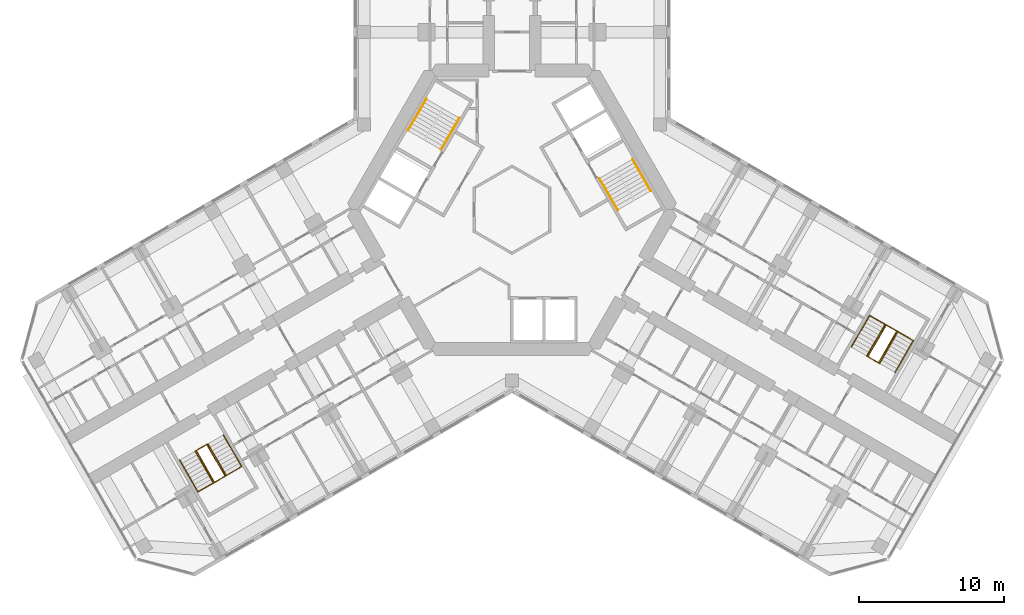
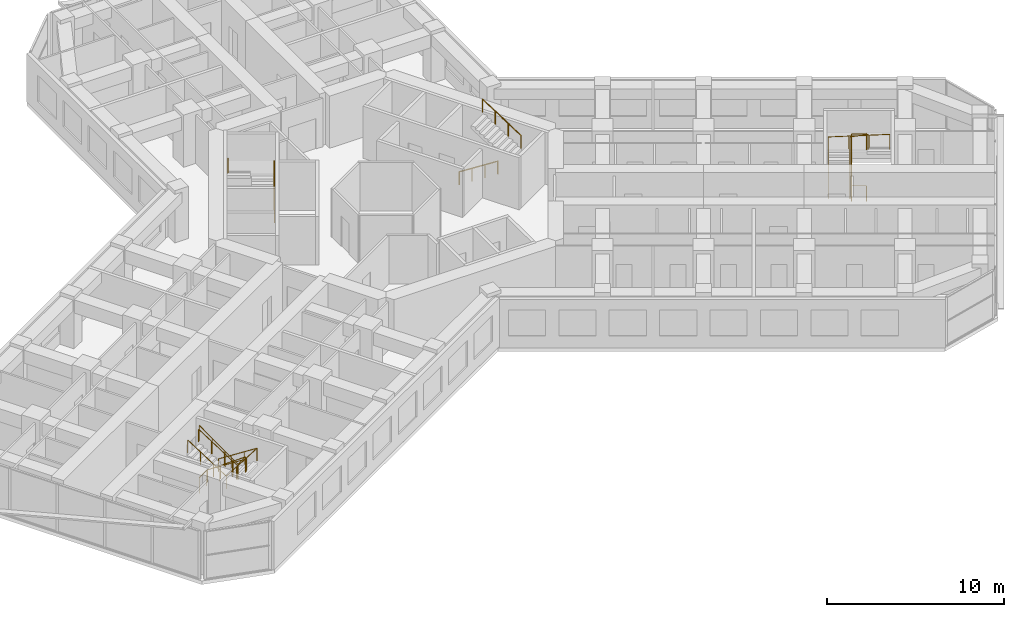
# One storey, part 19 of 19: 10 railings.
"""IFC4 building model written with IfcOpenShell, lengths in metres."""

from ifc_helpers import new_model, si_unit, direction, frame, origin, origin_2d, place, context, subcontext, project, spatial, circle, extrude, material, type_object, element, save


model = new_model("IFC4")

# Units and contexts
model_context = context("Model", 3, precision=1e-05, world=origin(), true_north=direction((0.0, 1.0)))
body_context = subcontext(model_context, "Body", "Model", "MODEL_VIEW")
ifc_project = project(units=[si_unit("LENGTHUNIT", "METRE"), si_unit("AREAUNIT", "SQUARE_METRE"), si_unit("VOLUMEUNIT", "CUBIC_METRE"), si_unit("PLANEANGLEUNIT", "RADIAN"), si_unit("MASSUNIT", "GRAM", prefix="KILO")], contexts=[model_context])

# Site, building, storey
site_placement = place(None, origin())
site = spatial("IfcSite", under=ifc_project, at=site_placement, CompositionType="ELEMENT")
building_placement = place(site_placement, origin())
building = spatial("IfcBuilding", under=site, at=building_placement, Name="Kosmar Iwan School Tower", CompositionType="ELEMENT")
storey_placement = place(building_placement, frame((0.0, 0.0, 168.800048828125)))
storey = spatial("IfcBuildingStorey", under=building, at=storey_placement, Name="L42", CompositionType="ELEMENT", Elevation=168.800048828125)

# Railings
ifc_material_1 = material(Name="Black steel", Category="steel")
railing_type_1 = type_object("IfcRailingType", Name="Stair handrail 900", PredefinedType="HANDRAIL", material=ifc_material_1)
railing_1_placement = place(storey_placement, frame((-4.89453125, 4.142333984375, 0.179931640625)))
element("IfcRailing", 1, at=railing_1_placement, inside=storey, type_object=railing_type_1, Name="Handrail ST2 flight 1", PredefinedType="HANDRAIL", context=body_context, shape_type="SweptSolid", body=[
    extrude(circle(Radius=0.02392578125, at=origin_2d()), frame((0.0, 0.0, 0.8759765625), z_axis=(0.420584145978, 0.728463801763, 0.540785970299), x_axis=(-0.866022637375, 0.500004791531, 0.0)), (0.0, 0.0, 1.0), 2.995849609375),
    extrude(circle(Radius=0.02099609375, at=origin_2d()), origin(), (0.0, 0.0, 1.0), 0.851806640625),
    extrude(circle(Radius=0.02099609375, at=origin_2d()), frame((0.419921875, 0.7275390625, 0.5400390625)), (0.0, 0.0, 1.0), 0.851806640625),
    extrude(circle(Radius=0.02099609375, at=origin_2d()), frame((0.840087890625, 1.454833984375, 1.080078125)), (0.0, 0.0, 1.0), 0.851806640625),
    extrude(circle(Radius=0.02099609375, at=origin_2d()), frame((1.260009765625, 2.182373046875, 1.6201171875)), (0.0, 0.0, 1.0), 0.851806640625),
])
railing_2_placement = place(storey_placement, frame((-5.912353515625, 7.6396484375, 1.97998046875)))
element("IfcRailing", 2, at=railing_2_placement, inside=storey, type_object=railing_type_1, Name="Handrail ST2 flight 2", PredefinedType="HANDRAIL", context=body_context, shape_type="SweptSolid", body=[
    extrude(circle(Radius=0.02392578125, at=origin_2d()), frame((0.0, 0.0, 0.8759765625), z_axis=(-0.42060268101, -0.72849590497, 0.54072830624), x_axis=(0.866022637375, -0.500004791531, 0.0)), (0.0, 0.0, 1.0), 2.99560546875),
    extrude(circle(Radius=0.02099609375, at=origin_2d()), origin(), (0.0, 0.0, 1.0), 0.851806640625),
    extrude(circle(Radius=0.02099609375, at=origin_2d()), frame((-0.419921875, -0.7275390625, 0.5400390625)), (0.0, 0.0, 1.0), 0.851806640625),
    extrude(circle(Radius=0.02099609375, at=origin_2d()), frame((-0.840087890625, -1.454833984375, 1.079833984375)), (0.0, 0.0, 1.0), 0.851806640625),
    extrude(circle(Radius=0.02099609375, at=origin_2d()), frame((-1.260009765625, -2.182373046875, 1.619873046875)), (0.0, 0.0, 1.0), 0.851806640625),
])
railing_3_placement = place(storey_placement, frame((6.03466796875, 2.167724609375, 0.179931640625)))
element("IfcRailing", 3, at=railing_3_placement, inside=storey, type_object=railing_type_1, Name="Handrail ST1 flight 1", PredefinedType="HANDRAIL", context=body_context, shape_type="SweptSolid", body=[
    extrude(circle(Radius=0.02392578125, at=origin_2d()), frame((0.0, 0.0, 0.8759765625), z_axis=(0.420584145978, -0.728463801763, 0.540785970299), x_axis=(0.866022637375, 0.500004791531, 0.0)), (0.0, 0.0, 1.0), 2.995849609375),
    extrude(circle(Radius=0.02099609375, at=origin_2d()), origin(), (0.0, 0.0, 1.0), 0.851806640625),
    extrude(circle(Radius=0.02099609375, at=origin_2d()), frame((0.419921875, -0.7275390625, 0.5400390625)), (0.0, 0.0, 1.0), 0.851806640625),
    extrude(circle(Radius=0.02099609375, at=origin_2d()), frame((0.840087890625, -1.454833984375, 1.080078125)), (0.0, 0.0, 1.0), 0.851806640625),
    extrude(circle(Radius=0.02099609375, at=origin_2d()), frame((1.260009765625, -2.182373046875, 1.6201171875)), (0.0, 0.0, 1.0), 0.851806640625),
])
railing_4_placement = place(storey_placement, frame((9.572265625, 1.30029296875, 1.97998046875)))
element("IfcRailing", 4, at=railing_4_placement, inside=storey, type_object=railing_type_1, Name="Handrail ST1 flight 2", PredefinedType="HANDRAIL", context=body_context, shape_type="SweptSolid", body=[
    extrude(circle(Radius=0.02392578125, at=origin_2d()), frame((0.0, 0.0, 0.8759765625), z_axis=(-0.42060268101, 0.72849590497, 0.54072830624), x_axis=(-0.866022637375, -0.500004791531, 0.0)), (0.0, 0.0, 1.0), 2.99560546875),
    extrude(circle(Radius=0.02099609375, at=origin_2d()), origin(), (0.0, 0.0, 1.0), 0.851806640625),
    extrude(circle(Radius=0.02099609375, at=origin_2d()), frame((-0.419921875, 0.7275390625, 0.5400390625)), (0.0, 0.0, 1.0), 0.851806640625),
    extrude(circle(Radius=0.02099609375, at=origin_2d()), frame((-0.840087890625, 1.454833984375, 1.079833984375)), (0.0, 0.0, 1.0), 0.851806640625),
    extrude(circle(Radius=0.02099609375, at=origin_2d()), frame((-1.260009765625, 2.182373046875, 1.619873046875)), (0.0, 0.0, 1.0), 0.851806640625),
])
railing_5_placement = place(storey_placement, frame((-19.9091796875, -15.5361328125, 0.179931640625)))
element("IfcRailing", 5, at=railing_5_placement, inside=storey, type_object=railing_type_1, Name="Handrail stair WS2 L42 wall side", PredefinedType="HANDRAIL", context=body_context, shape_type="SweptSolid", body=[
    extrude(circle(Radius=0.02392578125, at=origin_2d()), frame((0.0, 0.0, 0.8759765625), z_axis=(0.420517065106, -0.728488768407, 0.540804504659), x_axis=(0.866064587494, 0.499932125682, 0.0)), (0.0, 0.0, 1.0), 2.995849609375),
    extrude(circle(Radius=0.02392578125, at=origin_2d()), frame((1.259765625, -2.182373046875, 2.49609375), z_axis=(-0.864864352349, -0.499342858003, 0.051636829851), x_axis=(0.500009906705, -0.86601968407, 0.0)), (0.0, 0.0, 1.0), 3.484619140625),
    extrude(circle(Radius=0.02392578125, at=origin_2d()), frame((-1.75390625, -3.92236328125, 2.67578125), z_axis=(-0.42060268101, 0.72849590497, 0.54072830624), x_axis=(-0.866022637375, -0.500004791531, 0.0)), (0.0, 0.0, 1.0), 2.99560546875),
    extrude(circle(Radius=0.02099609375, at=origin_2d()), origin(), (0.0, 0.0, 1.0), 0.851806640625),
    extrude(circle(Radius=0.02099609375, at=origin_2d()), frame((0.419921875, -0.7275390625, 0.5400390625)), (0.0, 0.0, 1.0), 0.851806640625),
    extrude(circle(Radius=0.02099609375, at=origin_2d()), frame((0.83984375, -1.454833984375, 1.080078125)), (0.0, 0.0, 1.0), 0.851806640625),
    extrude(circle(Radius=0.02099609375, at=origin_2d()), frame((1.259765625, -2.182373046875, 1.6201171875)), (0.0, 0.0, 1.0), 0.851806640625),
    extrude(circle(Radius=0.02099609375, at=origin_2d()), frame((0.255126953125, -2.762451171875, 1.68017578125)), (0.0, 0.0, 1.0), 0.851806640625),
    extrude(circle(Radius=0.02099609375, at=origin_2d()), frame((-0.749267578125, -3.34228515625, 1.739990234375)), (0.0, 0.0, 1.0), 0.851806640625),
    extrude(circle(Radius=0.02099609375, at=origin_2d()), frame((-1.75390625, -3.92236328125, 1.800048828125)), (0.0, 0.0, 1.0), 0.851806640625),
    extrude(circle(Radius=0.02099609375, at=origin_2d()), frame((-2.173828125, -3.19482421875, 2.340087890625)), (0.0, 0.0, 1.0), 0.851806640625),
    extrude(circle(Radius=0.02099609375, at=origin_2d()), frame((-2.593994140625, -2.467529296875, 2.8798828125)), (0.0, 0.0, 1.0), 0.851806640625),
    extrude(circle(Radius=0.02099609375, at=origin_2d()), frame((-3.013916015625, -1.739990234375, 3.419921875)), (0.0, 0.0, 1.0), 0.851806640625),
])
railing_6_placement = place(storey_placement, frame((-20.974609375, -16.151123046875, 0.179931640625)))
element("IfcRailing", 6, at=railing_6_placement, inside=storey, type_object=railing_type_1, Name="Handrail stair WS2 L42 well side", PredefinedType="HANDRAIL", context=body_context, shape_type="SweptSolid", body=[
    extrude(circle(Radius=0.02392578125, at=origin_2d()), frame((0.0, 0.0, 0.8759765625), z_axis=(0.420584145978, -0.728463801763, 0.540785970299), x_axis=(0.866022637375, 0.500004791531, 0.0)), (0.0, 0.0, 1.0), 2.995849609375),
    extrude(circle(Radius=0.02392578125, at=origin_2d()), frame((1.260009765625, -2.182373046875, 2.49609375), z_axis=(-0.852841519511, -0.492422867401, 0.173726976197), x_axis=(0.500026340207, -0.866010195725, 0.0)), (0.0, 0.0, 1.0), 1.03564453125),
    extrude(circle(Radius=0.02392578125, at=origin_2d()), frame((0.376708984375, -2.6923828125, 2.67578125), z_axis=(-0.42060268101, 0.72849590497, 0.54072830624), x_axis=(-0.866022637375, -0.500004791531, 0.0)), (0.0, 0.0, 1.0), 2.99560546875),
    extrude(circle(Radius=0.02099609375, at=origin_2d()), origin(), (0.0, 0.0, 1.0), 0.851806640625),
    extrude(circle(Radius=0.02099609375, at=origin_2d()), frame((0.419921875, -0.7275390625, 0.5400390625)), (0.0, 0.0, 1.0), 0.851806640625),
    extrude(circle(Radius=0.02099609375, at=origin_2d()), frame((0.840087890625, -1.454833984375, 1.080078125)), (0.0, 0.0, 1.0), 0.851806640625),
    extrude(circle(Radius=0.02099609375, at=origin_2d()), frame((1.260009765625, -2.182373046875, 1.6201171875)), (0.0, 0.0, 1.0), 0.851806640625),
    extrude(circle(Radius=0.02099609375, at=origin_2d()), frame((0.376708984375, -2.6923828125, 1.800048828125)), (0.0, 0.0, 1.0), 0.851806640625),
    extrude(circle(Radius=0.02099609375, at=origin_2d()), frame((-0.043212890625, -1.96484375, 2.340087890625)), (0.0, 0.0, 1.0), 0.851806640625),
    extrude(circle(Radius=0.02099609375, at=origin_2d()), frame((-0.46337890625, -1.237548828125, 2.8798828125)), (0.0, 0.0, 1.0), 0.851806640625),
    extrude(circle(Radius=0.02099609375, at=origin_2d()), frame((-0.88330078125, -0.510009765625, 3.419921875)), (0.0, 0.0, 1.0), 0.851806640625),
])
railing_7_placement = place(storey_placement, frame((23.4091796875, -9.473876953125, 0.179931640625)))
element("IfcRailing", 7, at=railing_7_placement, inside=storey, type_object=railing_type_1, Name="Handrail stair WS3 L42 wall side", PredefinedType="HANDRAIL", context=body_context, shape_type="SweptSolid", body=[
    extrude(circle(Radius=0.02392578125, at=origin_2d()), frame((0.0, 0.0, 0.8759765625), z_axis=(0.420584145978, 0.728463801763, 0.540785970299), x_axis=(-0.866022637375, 0.500004791531, 0.0)), (0.0, 0.0, 1.0), 2.995849609375),
    extrude(circle(Radius=0.02392578125, at=origin_2d()), frame((1.260009765625, 2.182373046875, 2.49609375), z_axis=(0.864882007433, -0.499312601618, 0.051633701051), x_axis=(0.499979528911, 0.866037222451, 0.0)), (0.0, 0.0, 1.0), 3.48486328125),
    extrude(circle(Radius=0.02392578125, at=origin_2d()), frame((4.27392578125, 0.4423828125, 2.67578125), z_axis=(-0.42060268101, -0.72849590497, 0.54072830624), x_axis=(0.866022637375, -0.500004791531, 0.0)), (0.0, 0.0, 1.0), 2.99560546875),
    extrude(circle(Radius=0.02099609375, at=origin_2d()), origin(), (0.0, 0.0, 1.0), 0.851806640625),
    extrude(circle(Radius=0.02099609375, at=origin_2d()), frame((0.419921875, 0.7275390625, 0.5400390625)), (0.0, 0.0, 1.0), 0.851806640625),
    extrude(circle(Radius=0.02099609375, at=origin_2d()), frame((0.840087890625, 1.454833984375, 1.080078125)), (0.0, 0.0, 1.0), 0.851806640625),
    extrude(circle(Radius=0.02099609375, at=origin_2d()), frame((1.260009765625, 2.182373046875, 1.6201171875)), (0.0, 0.0, 1.0), 0.851806640625),
    extrude(circle(Radius=0.02099609375, at=origin_2d()), frame((2.2646484375, 1.602294921875, 1.68017578125)), (0.0, 0.0, 1.0), 0.851806640625),
    extrude(circle(Radius=0.02099609375, at=origin_2d()), frame((3.269287109375, 1.0224609375, 1.739990234375)), (0.0, 0.0, 1.0), 0.851806640625),
    extrude(circle(Radius=0.02099609375, at=origin_2d()), frame((4.27392578125, 0.4423828125, 1.800048828125)), (0.0, 0.0, 1.0), 0.851806640625),
    extrude(circle(Radius=0.02099609375, at=origin_2d()), frame((3.85400390625, -0.28515625, 2.340087890625)), (0.0, 0.0, 1.0), 0.851806640625),
    extrude(circle(Radius=0.02099609375, at=origin_2d()), frame((3.433837890625, -1.012451171875, 2.8798828125)), (0.0, 0.0, 1.0), 0.851806640625),
    extrude(circle(Radius=0.02099609375, at=origin_2d()), frame((3.013916015625, -1.739990234375, 3.419921875)), (0.0, 0.0, 1.0), 0.851806640625),
])
railing_8_placement = place(storey_placement, frame((24.474609375, -10.0888671875, 0.179931640625)))
element("IfcRailing", 8, at=railing_8_placement, inside=storey, type_object=railing_type_1, Name="Handrail stair WS3 L42 well side", PredefinedType="HANDRAIL", context=body_context, shape_type="SweptSolid", body=[
    extrude(circle(Radius=0.02392578125, at=origin_2d()), frame((0.0, 0.0, 0.8759765625), z_axis=(0.420584145978, 0.728463801763, 0.540785970299), x_axis=(-0.866022637375, 0.500004791531, 0.0)), (0.0, 0.0, 1.0), 2.995849609375),
    extrude(circle(Radius=0.02392578125, at=origin_2d()), frame((1.260009765625, 2.182373046875, 2.49609375), z_axis=(0.852841519511, -0.492422867401, 0.173726976197), x_axis=(0.500026340207, 0.866010195725, 0.0)), (0.0, 0.0, 1.0), 1.03564453125),
    extrude(circle(Radius=0.02392578125, at=origin_2d()), frame((2.143310546875, 1.67236328125, 2.67578125), z_axis=(-0.42060268101, -0.72849590497, 0.54072830624), x_axis=(0.866022637375, -0.500004791531, 0.0)), (0.0, 0.0, 1.0), 2.99560546875),
    extrude(circle(Radius=0.02099609375, at=origin_2d()), origin(), (0.0, 0.0, 1.0), 0.851806640625),
    extrude(circle(Radius=0.02099609375, at=origin_2d()), frame((0.419921875, 0.7275390625, 0.5400390625)), (0.0, 0.0, 1.0), 0.851806640625),
    extrude(circle(Radius=0.02099609375, at=origin_2d()), frame((0.840087890625, 1.454833984375, 1.080078125)), (0.0, 0.0, 1.0), 0.851806640625),
    extrude(circle(Radius=0.02099609375, at=origin_2d()), frame((1.260009765625, 2.182373046875, 1.6201171875)), (0.0, 0.0, 1.0), 0.851806640625),
    extrude(circle(Radius=0.02099609375, at=origin_2d()), frame((2.143310546875, 1.67236328125, 1.800048828125)), (0.0, 0.0, 1.0), 0.851806640625),
    extrude(circle(Radius=0.02099609375, at=origin_2d()), frame((1.723388671875, 0.94482421875, 2.340087890625)), (0.0, 0.0, 1.0), 0.851806640625),
    extrude(circle(Radius=0.02099609375, at=origin_2d()), frame((1.30322265625, 0.217529296875, 2.8798828125)), (0.0, 0.0, 1.0), 0.851806640625),
    extrude(circle(Radius=0.02099609375, at=origin_2d()), frame((0.88330078125, -0.510009765625, 3.419921875)), (0.0, 0.0, 1.0), 0.851806640625),
])
ifc_material_2 = material(Name="Black steel", Category="steel")
railing_type_2 = type_object("IfcRailingType", Name="Stair well guard 1100", PredefinedType="GUARDRAIL", material=ifc_material_2)
railing_9_placement = place(storey_placement, frame((-21.780029296875, -16.6162109375, 0.0)))
element("IfcRailing", 9, at=railing_9_placement, inside=storey, type_object=railing_type_2, Name="Stair WS2 L42 well guard", PredefinedType="GUARDRAIL", context=body_context, shape_type="SweptSolid", body=[
    extrude(circle(Radius=0.02392578125, at=origin_2d()), frame((0.0, 0.0, 1.076171875), z_axis=(0.865962960534, 0.500108139288, 0.0), x_axis=(-0.500108139288, 0.865962960534, 0.0)), (0.0, 0.0, 1.0), 0.840087890625),
    extrude(circle(Radius=0.02392578125, at=origin_2d()), frame((0.7275390625, 0.420166015625, 1.076171875), z_axis=(0.40686665399, -0.704704712268, 0.58124933925), x_axis=(0.866022637375, 0.500004791531, 0.0)), (0.0, 0.0, 1.0), 3.096923828125),
    extrude(circle(Radius=0.02392578125, at=origin_2d()), frame((1.987548828125, -1.76220703125, 2.8759765625), z_axis=(-0.865962960534, -0.500108139288, 0.0), x_axis=(0.500108139288, -0.865962960534, 0.0)), (0.0, 0.0, 1.0), 0.840087890625),
    extrude(circle(Radius=0.02392578125, at=origin_2d()), frame((1.260009765625, -2.182373046875, 2.8759765625), z_axis=(-0.406885297737, 0.704737003773, 0.581197135229), x_axis=(-0.866022637375, -0.500004791531, 0.0)), (0.0, 0.0, 1.0), 3.0966796875),
    extrude(circle(Radius=0.02099609375, at=origin_2d()), origin(), (0.0, 0.0, 1.0), 1.052001953125),
    extrude(circle(Radius=0.02099609375, at=origin_2d()), frame((0.7275390625, 0.420166015625, 0.0)), (0.0, 0.0, 1.0), 1.052001953125),
    extrude(circle(Radius=0.02099609375, at=origin_2d()), frame((1.1474609375, -0.307373046875, 0.60009765625)), (0.0, 0.0, 1.0), 1.052001953125),
    extrude(circle(Radius=0.02099609375, at=origin_2d()), frame((1.567626953125, -1.03466796875, 1.199951171875)), (0.0, 0.0, 1.0), 1.052001953125),
    extrude(circle(Radius=0.02099609375, at=origin_2d()), frame((1.987548828125, -1.76220703125, 1.800048828125)), (0.0, 0.0, 1.0), 1.052001953125),
    extrude(circle(Radius=0.02099609375, at=origin_2d()), frame((1.260009765625, -2.182373046875, 1.800048828125)), (0.0, 0.0, 1.0), 1.052001953125),
    extrude(circle(Radius=0.02099609375, at=origin_2d()), frame((0.840087890625, -1.454833984375, 2.39990234375)), (0.0, 0.0, 1.0), 1.052001953125),
    extrude(circle(Radius=0.02099609375, at=origin_2d()), frame((0.419921875, -0.7275390625, 3.0)), (0.0, 0.0, 1.0), 1.052001953125),
    extrude(circle(Radius=0.02099609375, at=origin_2d()), frame((0.0, 0.0, 3.599853515625)), (0.0, 0.0, 1.0), 1.052001953125),
])
railing_10_placement = place(storey_placement, frame((25.280029296875, -10.553955078125, 0.0)))
element("IfcRailing", 10, at=railing_10_placement, inside=storey, type_object=railing_type_2, Name="Stair WS3 L42 well guard", PredefinedType="GUARDRAIL", context=body_context, shape_type="SweptSolid", body=[
    extrude(circle(Radius=0.02392578125, at=origin_2d()), frame((0.0, 0.0, 1.076171875), z_axis=(-0.865962960534, 0.500108139288, 0.0), x_axis=(-0.500108139288, -0.865962960534, 0.0)), (0.0, 0.0, 1.0), 0.840087890625),
    extrude(circle(Radius=0.02392578125, at=origin_2d()), frame((-0.7275390625, 0.420166015625, 1.076171875), z_axis=(0.40686665399, 0.704704712268, 0.58124933925), x_axis=(-0.866022637375, 0.500004791531, 0.0)), (0.0, 0.0, 1.0), 3.096923828125),
    extrude(circle(Radius=0.02392578125, at=origin_2d()), frame((0.532470703125, 2.6025390625, 2.8759765625), z_axis=(0.865890253765, -0.500234013672, 0.0), x_axis=(0.500234013672, 0.865890253765, 0.0)), (0.0, 0.0, 1.0), 0.83984375),
    extrude(circle(Radius=0.02392578125, at=origin_2d()), frame((1.259765625, 2.182373046875, 2.8759765625), z_axis=(-0.406819508263, -0.704759609372, 0.581215778084), x_axis=(0.866064587494, -0.499932125682, 0.0)), (0.0, 0.0, 1.0), 3.0966796875),
    extrude(circle(Radius=0.02099609375, at=origin_2d()), origin(), (0.0, 0.0, 1.0), 1.052001953125),
    extrude(circle(Radius=0.02099609375, at=origin_2d()), frame((-0.7275390625, 0.420166015625, 0.0)), (0.0, 0.0, 1.0), 1.052001953125),
    extrude(circle(Radius=0.02099609375, at=origin_2d()), frame((-0.3076171875, 1.147705078125, 0.60009765625)), (0.0, 0.0, 1.0), 1.052001953125),
    extrude(circle(Radius=0.02099609375, at=origin_2d()), frame((0.112548828125, 1.875, 1.199951171875)), (0.0, 0.0, 1.0), 1.052001953125),
    extrude(circle(Radius=0.02099609375, at=origin_2d()), frame((0.532470703125, 2.6025390625, 1.800048828125)), (0.0, 0.0, 1.0), 1.052001953125),
    extrude(circle(Radius=0.02099609375, at=origin_2d()), frame((1.259765625, 2.182373046875, 1.800048828125)), (0.0, 0.0, 1.0), 1.052001953125),
    extrude(circle(Radius=0.02099609375, at=origin_2d()), frame((0.83984375, 1.454833984375, 2.39990234375)), (0.0, 0.0, 1.0), 1.052001953125),
    extrude(circle(Radius=0.02099609375, at=origin_2d()), frame((0.419921875, 0.7275390625, 3.0)), (0.0, 0.0, 1.0), 1.052001953125),
    extrude(circle(Radius=0.02099609375, at=origin_2d()), frame((0.0, 0.0, 3.599853515625)), (0.0, 0.0, 1.0), 1.052001953125),
])

save(model, "model.ifc")
